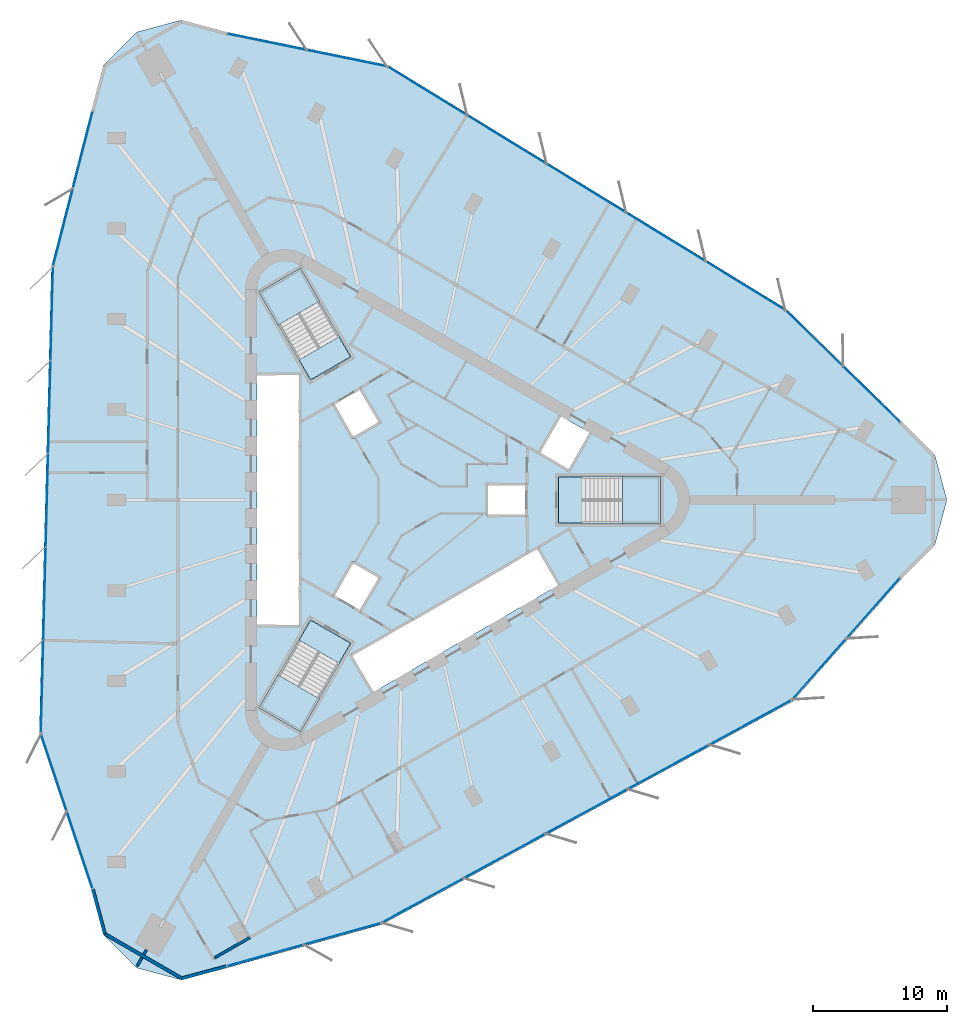
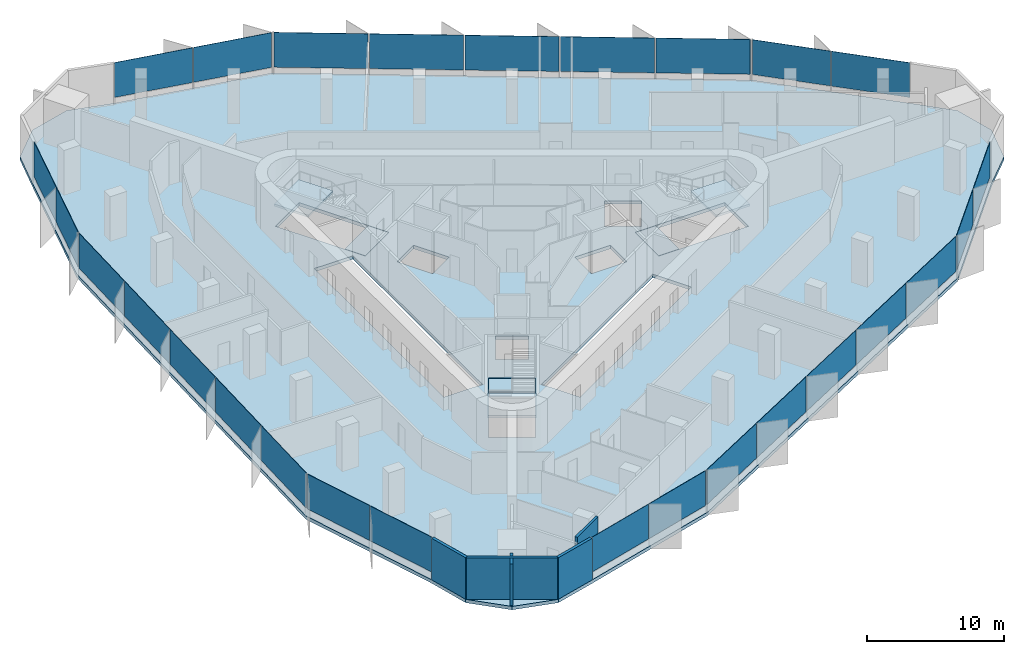
# One storey, part 7 of 14: 27 plates, 7 slabs, 6 walls, 12 elements without a shape of their own.
"""IFC4 building model written with IfcOpenShell, lengths in metres."""

from ifc_helpers import new_model, si_unit, direction, frame, frame_2d, origin, origin_2d, place, context, subcontext, project, spatial, polyline, rectangle, outline, extrude, material, layer, layer_set, type_object, element, aggregate, save


model = new_model("IFC4")

# Units and contexts
model_context = context("Model", 3, precision=1e-05, world=origin(), true_north=direction((0.0, 1.0)))
body_context = subcontext(model_context, "Body", "Model", "MODEL_VIEW")
ifc_project = project(units=[si_unit("LENGTHUNIT", "METRE"), si_unit("AREAUNIT", "SQUARE_METRE"), si_unit("VOLUMEUNIT", "CUBIC_METRE"), si_unit("PLANEANGLEUNIT", "RADIAN"), si_unit("MASSUNIT", "GRAM", prefix="KILO")], contexts=[model_context])

# Site, building, storey
site_placement = place(None, origin())
site = spatial("IfcSite", under=ifc_project, at=site_placement, CompositionType="ELEMENT")
building_placement = place(site_placement, origin())
building = spatial("IfcBuilding", under=site, at=building_placement, Name="Tanit Gate Tower", CompositionType="ELEMENT")
storey_placement = place(building_placement, frame((0.0, 0.0, 241.199951171875)))
storey = spatial("IfcBuildingStorey", under=building, at=storey_placement, Name="L54", CompositionType="ELEMENT", Elevation=241.199951171875)

# Slab
ifc_material_1 = material(Name="Concrete C35/45", Category="concrete")
ifc_layer_1 = layer(ifc_material_1, 0.300048828125)
ifc_layer_set_1 = layer_set([ifc_layer_1], Name="FLOOR SLAB 300 C35/45")
slab_type_1 = type_object("IfcSlabType", Name="FLOOR SLAB 300 C35/45", PredefinedType="FLOOR", material=ifc_layer_set_1)
slab_1_placement = place(storey_placement, frame((0.0, 0.0, -0.300048828125)))
element("IfcSlab", 1, at=slab_1_placement, inside=storey, type_object=slab_type_1, Name="FLOOR SLAB L54", PredefinedType="FLOOR", context=body_context, shape_type="SweptSolid", body=[
    extrude(outline(polyline([(37.03662109375, 5.860107421875), (39.51318359375, 3.38330078125), (40.419921875, 0.0), (39.51318359375, -3.38330078125), (37.03662109375, -5.860107421875), (28.885986328125, -15.05859375), (-1.855224609375, -31.760009765625), (-13.443115234375, -35.004638671875), (-16.826416015625, -35.9111328125), (-20.2099609375, -35.004638671875), (-22.686767578125, -32.52783203125), (-23.59326171875, -29.144287109375), (-27.484375, -17.48681640625), (-26.577392578125, 17.48681640625), (-23.59326171875, 29.144287109375), (-22.686767578125, 32.52783203125), (-20.2099609375, 35.004638671875), (-16.826416015625, 35.9111328125), (-13.443115234375, 35.004638671875), (-1.40185546875, 32.54541015625), (28.4326171875, 14.273193359375), (37.03662109375, 5.860107421875)]), holes=[polyline([(11.3701171875, 1.72998046875), (18.929931640625, 1.72998046875), (18.929931640625, -1.72998046875), (11.3701171875, -1.72998046875), (11.3701171875, 1.72998046875)]), polyline([(9.82080078125, 3.510009765625), (11.44580078125, 6.324462890625), (13.783935546875, 4.974609375), (12.158935546875, 2.159912109375), (9.82080078125, 3.510009765625)]), polyline([(-4.208984375, -11.60986328125), (9.82080078125, -3.510009765625), (11.44580078125, -6.324462890625), (-2.583984375, -14.424560546875), (-4.208984375, -11.60986328125)]), polyline([(6.0, 1.199951171875), (9.0, 1.199951171875), (9.0, -1.199951171875), (6.0, -1.199951171875), (6.0, 1.199951171875)]), polyline([(-5.539306640625, 7.194091796875), (-3.460693359375, 8.394287109375), (-1.960693359375, 5.796142578125), (-4.039306640625, 4.59619140625), (-5.539306640625, 7.194091796875)]), polyline([(-1.960693359375, -5.796142578125), (-3.460693359375, -8.394287109375), (-5.539306640625, -7.194091796875), (-4.039306640625, -4.59619140625), (-1.960693359375, -5.796142578125)]), polyline([(-10.963134765625, 15.52880859375), (-7.966796875, 17.2587890625), (-4.186767578125, 10.711669921875), (-7.18310546875, 8.981689453125), (-10.963134765625, 15.52880859375)]), polyline([(-4.186767578125, -10.711669921875), (-7.966796875, -17.2587890625), (-10.963134765625, -15.52880859375), (-7.18310546875, -8.981689453125), (-4.186767578125, -10.711669921875)]), polyline([(-11.199951171875, -9.449951171875), (-11.199951171875, 9.449951171875), (-7.949951171875, 9.449951171875), (-7.949951171875, -9.449951171875), (-11.199951171875, -9.449951171875)])]), origin(), (0.0, 0.0, 1.0), 0.300048828125),
])

# Curtain wall, plates
ifc_material_2 = material(Name="Aluminium bronze anodised and glass", Category="aluminium")
curtain_wall_type = type_object("IfcCurtainWallType", Name="Curtain wall typical mid", PredefinedType="NOTDEFINED", material=ifc_material_2)
curtain_wall_1_placement = place(storey_placement, origin())
curtain_wall_1 = element("IfcCurtainWall", 2, at=curtain_wall_1_placement, inside=storey, type_object=curtain_wall_type, Name="Curtain wall L54 NE1", PredefinedType="NOTDEFINED")
ifc_material_3 = material(Name="Glass tinted", Category="glass")
ifc_layer_2 = layer(ifc_material_3, 0.030029296875)
ifc_layer_set_2 = layer_set([ifc_layer_2], Name="Glass panel 30 typical mid")
plate_type = type_object("IfcPlateType", Name="Glass panel 30 typical mid", PredefinedType="CURTAIN_PANEL", material=ifc_layer_set_2)
plate_1_placement = place(storey_placement, frame((34.789306640625, 7.8896484375, 0.60009765625), z_axis=(0.0, 0.0, 1.0), x_axis=(-0.714989662126, 0.699135024907, 0.0)))
plate_1 = element("IfcPlate", 3, at=plate_1_placement, type_object=plate_type, Name="Glass panel L54 NE1.1", PredefinedType="CURTAIN_PANEL", context=body_context, shape_type="SweptSolid", body=[
    extrude(rectangle(XDim=5.8896484375, YDim=0.030029296875, at=origin_2d()), origin(), (0.0, 0.0, 1.0), 3.10009765625),
])
plate_2_placement = place(storey_placement, frame((30.52099609375, 12.063232421875, 0.60009765625), z_axis=(0.0, 0.0, 1.0), x_axis=(-0.714989662126, 0.699135024907, 0.0)))
plate_2 = element("IfcPlate", 4, at=plate_2_placement, type_object=plate_type, Name="Glass panel L54 NE1.2", PredefinedType="CURTAIN_PANEL", context=body_context, shape_type="SweptSolid", body=[
    extrude(rectangle(XDim=5.8896484375, YDim=0.030029296875, at=origin_2d()), origin(), (0.0, 0.0, 1.0), 3.10009765625),
])
aggregate(curtain_wall_1, [plate_1, plate_2])

curtain_wall_2_placement = place(storey_placement, origin())
curtain_wall_2 = element("IfcCurtainWall", 5, at=curtain_wall_2_placement, inside=storey, type_object=curtain_wall_type, Name="Curtain wall L54 NE2", PredefinedType="NOTDEFINED")
plate_3_placement = place(storey_placement, frame((25.3505859375, 16.020263671875, 0.60009765625), z_axis=(0.0, 0.0, 1.0), x_axis=(-0.852772356127, 0.522282786071, 0.0)))
plate_3 = element("IfcPlate", 6, at=plate_3_placement, type_object=plate_type, Name="Glass panel L54 NE2.1", PredefinedType="CURTAIN_PANEL", context=body_context, shape_type="SweptSolid", body=[
    extrude(rectangle(XDim=6.89404296875, YDim=0.030029296875, at=origin_2d()), origin(), (0.0, 0.0, 1.0), 3.10009765625),
])
plate_4_placement = place(storey_placement, frame((19.4033203125, 19.66259765625, 0.60009765625), z_axis=(0.0, 0.0, 1.0), x_axis=(-0.852772356127, 0.522282786071, 0.0)))
plate_4 = element("IfcPlate", 7, at=plate_4_placement, type_object=plate_type, Name="Glass panel L54 NE2.2", PredefinedType="CURTAIN_PANEL", context=body_context, shape_type="SweptSolid", body=[
    extrude(rectangle(XDim=6.89404296875, YDim=0.030029296875, at=origin_2d()), origin(), (0.0, 0.0, 1.0), 3.10009765625),
])
plate_5_placement = place(storey_placement, frame((13.455810546875, 23.304931640625, 0.60009765625), z_axis=(0.0, 0.0, 1.0), x_axis=(-0.852772356127, 0.522282786071, 0.0)))
plate_5 = element("IfcPlate", 8, at=plate_5_placement, type_object=plate_type, Name="Glass panel L54 NE2.3", PredefinedType="CURTAIN_PANEL", context=body_context, shape_type="SweptSolid", body=[
    extrude(rectangle(XDim=6.89404296875, YDim=0.030029296875, at=origin_2d()), origin(), (0.0, 0.0, 1.0), 3.10009765625),
])
plate_6_placement = place(storey_placement, frame((7.508544921875, 26.947509765625, 0.60009765625), z_axis=(0.0, 0.0, 1.0), x_axis=(-0.852772356127, 0.522282786071, 0.0)))
plate_6 = element("IfcPlate", 9, at=plate_6_placement, type_object=plate_type, Name="Glass panel L54 NE2.4", PredefinedType="CURTAIN_PANEL", context=body_context, shape_type="SweptSolid", body=[
    extrude(rectangle(XDim=6.89404296875, YDim=0.030029296875, at=origin_2d()), origin(), (0.0, 0.0, 1.0), 3.10009765625),
])
plate_7_placement = place(storey_placement, frame((1.561279296875, 30.58984375, 0.60009765625), z_axis=(0.0, 0.0, 1.0), x_axis=(-0.852772356127, 0.522282786071, 0.0)))
plate_7 = element("IfcPlate", 10, at=plate_7_placement, type_object=plate_type, Name="Glass panel L54 NE2.5", PredefinedType="CURTAIN_PANEL", context=body_context, shape_type="SweptSolid", body=[
    extrude(rectangle(XDim=6.89404296875, YDim=0.030029296875, at=origin_2d()), origin(), (0.0, 0.0, 1.0), 3.10009765625),
])
aggregate(curtain_wall_2, [plate_3, plate_4, plate_5, plate_6, plate_7])

curtain_wall_3_placement = place(storey_placement, origin())
curtain_wall_3 = element("IfcCurtainWall", 11, at=curtain_wall_3_placement, inside=storey, type_object=curtain_wall_type, Name="Curtain wall L54 NE3", PredefinedType="NOTDEFINED")
plate_8_placement = place(storey_placement, frame((-4.47216796875, 33.050048828125, 0.60009765625), z_axis=(0.0, 0.0, 1.0), x_axis=(-0.979775826836, 0.200098298711, 0.0)))
plate_8 = element("IfcPlate", 12, at=plate_8_placement, type_object=plate_type, Name="Glass panel L54 NE3.1", PredefinedType="CURTAIN_PANEL", context=body_context, shape_type="SweptSolid", body=[
    extrude(rectangle(XDim=6.01611328125, YDim=0.030029296875, at=origin_2d()), origin(), (0.0, 0.0, 1.0), 3.10009765625),
])
plate_9_placement = place(storey_placement, frame((-10.445068359375, 34.269775390625, 0.60009765625), z_axis=(0.0, 0.0, 1.0), x_axis=(-0.979775826836, 0.200098298711, 0.0)))
plate_9 = element("IfcPlate", 13, at=plate_9_placement, type_object=plate_type, Name="Glass panel L54 NE3.2", PredefinedType="CURTAIN_PANEL", context=body_context, shape_type="SweptSolid", body=[
    extrude(rectangle(XDim=6.016357421875, YDim=0.030029296875, at=origin_2d()), origin(), (0.0, 0.0, 1.0), 3.10009765625),
])
aggregate(curtain_wall_3, [plate_8, plate_9])

curtain_wall_4_placement = place(storey_placement, origin())
curtain_wall_4 = element("IfcCurtainWall", 14, at=curtain_wall_4_placement, inside=storey, type_object=curtain_wall_type, Name="Curtain wall L54 W1", PredefinedType="NOTDEFINED")
plate_10_placement = place(storey_placement, frame((-24.227294921875, 26.18359375, 0.60009765625), z_axis=(0.0, 0.0, 1.0), x_axis=(-0.247973861182, -0.968766723298, 0.0)))
plate_10 = element("IfcPlate", 15, at=plate_10_placement, type_object=plate_type, Name="Glass panel L54 W1.1", PredefinedType="CURTAIN_PANEL", context=body_context, shape_type="SweptSolid", body=[
    extrude(rectangle(XDim=5.8896484375, YDim=0.030029296875, at=origin_2d()), origin(), (0.0, 0.0, 1.0), 3.10009765625),
])
plate_11_placement = place(storey_placement, frame((-25.70751953125, 20.400390625, 0.60009765625), z_axis=(0.0, 0.0, 1.0), x_axis=(-0.247973861182, -0.968766723298, 0.0)))
plate_11 = element("IfcPlate", 16, at=plate_11_placement, type_object=plate_type, Name="Glass panel L54 W1.2", PredefinedType="CURTAIN_PANEL", context=body_context, shape_type="SweptSolid", body=[
    extrude(rectangle(XDim=5.8896484375, YDim=0.030029296875, at=origin_2d()), origin(), (0.0, 0.0, 1.0), 3.10009765625),
])
aggregate(curtain_wall_4, [plate_10, plate_11])

curtain_wall_5_placement = place(storey_placement, origin())
curtain_wall_5 = element("IfcCurtainWall", 17, at=curtain_wall_5_placement, inside=storey, type_object=curtain_wall_type, Name="Curtain wall L54 W2", PredefinedType="NOTDEFINED")
plate_12_placement = place(storey_placement, frame((-26.549072265625, 13.944091796875, 0.60009765625), z_axis=(0.0, 0.0, 1.0), x_axis=(-0.025923982634, -0.999663917086, 0.0)))
plate_12 = element("IfcPlate", 18, at=plate_12_placement, type_object=plate_type, Name="Glass panel L54 W2.1", PredefinedType="CURTAIN_PANEL", context=body_context, shape_type="SweptSolid", body=[
    extrude(rectangle(XDim=6.89404296875, YDim=0.030029296875, at=origin_2d()), origin(), (0.0, 0.0, 1.0), 3.10009765625),
])
plate_13_placement = place(storey_placement, frame((-26.72998046875, 6.972412109375, 0.60009765625), z_axis=(0.0, 0.0, 1.0), x_axis=(-0.025923982634, -0.999663917086, 0.0)))
plate_13 = element("IfcPlate", 19, at=plate_13_placement, type_object=plate_type, Name="Glass panel L54 W2.2", PredefinedType="CURTAIN_PANEL", context=body_context, shape_type="SweptSolid", body=[
    extrude(rectangle(XDim=6.89404296875, YDim=0.030029296875, at=origin_2d()), origin(), (0.0, 0.0, 1.0), 3.10009765625),
])
plate_14_placement = place(storey_placement, frame((-26.91064453125, 0.000732421875, 0.60009765625), z_axis=(0.0, 0.0, 1.0), x_axis=(-0.025923982634, -0.999663917086, 0.0)))
plate_14 = element("IfcPlate", 20, at=plate_14_placement, type_object=plate_type, Name="Glass panel L54 W2.3", PredefinedType="CURTAIN_PANEL", context=body_context, shape_type="SweptSolid", body=[
    extrude(rectangle(XDim=6.89404296875, YDim=0.030029296875, at=origin_2d()), origin(), (0.0, 0.0, 1.0), 3.10009765625),
])
plate_15_placement = place(storey_placement, frame((-27.091552734375, -6.97119140625, 0.60009765625), z_axis=(0.0, 0.0, 1.0), x_axis=(-0.025923982634, -0.999663917086, 0.0)))
plate_15 = element("IfcPlate", 21, at=plate_15_placement, type_object=plate_type, Name="Glass panel L54 W2.4", PredefinedType="CURTAIN_PANEL", context=body_context, shape_type="SweptSolid", body=[
    extrude(rectangle(XDim=6.89404296875, YDim=0.030029296875, at=origin_2d()), origin(), (0.0, 0.0, 1.0), 3.10009765625),
])
plate_16_placement = place(storey_placement, frame((-27.272216796875, -13.94287109375, 0.60009765625), z_axis=(0.0, 0.0, 1.0), x_axis=(-0.025923982634, -0.999663917086, 0.0)))
plate_16 = element("IfcPlate", 22, at=plate_16_placement, type_object=plate_type, Name="Glass panel L54 W2.5", PredefinedType="CURTAIN_PANEL", context=body_context, shape_type="SweptSolid", body=[
    extrude(rectangle(XDim=6.89404296875, YDim=0.030029296875, at=origin_2d()), origin(), (0.0, 0.0, 1.0), 3.10009765625),
])
aggregate(curtain_wall_5, [plate_12, plate_13, plate_14, plate_15, plate_16])

curtain_wall_6_placement = place(storey_placement, origin())
curtain_wall_6 = element("IfcCurtainWall", 23, at=curtain_wall_6_placement, inside=storey, type_object=curtain_wall_type, Name="Curtain wall L54 W3", PredefinedType="NOTDEFINED")
plate_17_placement = place(storey_placement, frame((-26.385986328125, -20.39794921875, 0.60009765625), z_axis=(0.0, 0.0, 1.0), x_axis=(0.31659770348, -0.94855990541, 0.0)))
plate_17 = element("IfcPlate", 24, at=plate_17_placement, type_object=plate_type, Name="Glass panel L54 W3.1", PredefinedType="CURTAIN_PANEL", context=body_context, shape_type="SweptSolid", body=[
    extrude(rectangle(XDim=6.01611328125, YDim=0.030029296875, at=origin_2d()), origin(), (0.0, 0.0, 1.0), 3.10009765625),
])
plate_18_placement = place(storey_placement, frame((-24.4560546875, -26.1806640625, 0.60009765625), z_axis=(0.0, 0.0, 1.0), x_axis=(0.31659770348, -0.94855990541, 0.0)))
plate_18 = element("IfcPlate", 25, at=plate_18_placement, type_object=plate_type, Name="Glass panel L54 W3.2", PredefinedType="CURTAIN_PANEL", context=body_context, shape_type="SweptSolid", body=[
    extrude(rectangle(XDim=6.016357421875, YDim=0.030029296875, at=origin_2d()), origin(), (0.0, 0.0, 1.0), 3.10009765625),
])
aggregate(curtain_wall_6, [plate_17, plate_18])

curtain_wall_7_placement = place(storey_placement, origin())
curtain_wall_7 = element("IfcCurtainWall", 26, at=curtain_wall_7_placement, inside=storey, type_object=curtain_wall_type, Name="Curtain wall L54 SE1", PredefinedType="NOTDEFINED")
plate_19_placement = place(storey_placement, frame((-10.56201171875, -34.0732421875, 0.60009765625), z_axis=(0.0, 0.0, 1.0), x_axis=(0.962963523309, 0.269631698391, 0.0)))
plate_19 = element("IfcPlate", 27, at=plate_19_placement, type_object=plate_type, Name="Glass panel L54 SE1.1", PredefinedType="CURTAIN_PANEL", context=body_context, shape_type="SweptSolid", body=[
    extrude(rectangle(XDim=5.8896484375, YDim=0.030029296875, at=origin_2d()), origin(), (0.0, 0.0, 1.0), 3.10009765625),
])
plate_20_placement = place(storey_placement, frame((-4.8134765625, -32.463623046875, 0.60009765625), z_axis=(0.0, 0.0, 1.0), x_axis=(0.962963523309, 0.269631698391, 0.0)))
plate_20 = element("IfcPlate", 28, at=plate_20_placement, type_object=plate_type, Name="Glass panel L54 SE1.2", PredefinedType="CURTAIN_PANEL", context=body_context, shape_type="SweptSolid", body=[
    extrude(rectangle(XDim=5.8896484375, YDim=0.030029296875, at=origin_2d()), origin(), (0.0, 0.0, 1.0), 3.10009765625),
])
aggregate(curtain_wall_7, [plate_19, plate_20])

curtain_wall_8_placement = place(storey_placement, origin())
curtain_wall_8 = element("IfcCurtainWall", 29, at=curtain_wall_8_placement, inside=storey, type_object=curtain_wall_type, Name="Curtain wall L54 SE2", PredefinedType="NOTDEFINED")
plate_21_placement = place(storey_placement, frame((1.198486328125, -29.96435546875, 0.60009765625), z_axis=(0.0, 0.0, 1.0), x_axis=(0.87869633876, 0.477381131015, 0.0)))
plate_21 = element("IfcPlate", 30, at=plate_21_placement, type_object=plate_type, Name="Glass panel L54 SE2.1", PredefinedType="CURTAIN_PANEL", context=body_context, shape_type="SweptSolid", body=[
    extrude(rectangle(XDim=6.89404296875, YDim=0.030029296875, at=origin_2d()), origin(), (0.0, 0.0, 1.0), 3.10009765625),
])
plate_22_placement = place(storey_placement, frame((7.32666015625, -26.635009765625, 0.60009765625), z_axis=(0.0, 0.0, 1.0), x_axis=(0.87869633876, 0.477381131015, 0.0)))
plate_22 = element("IfcPlate", 31, at=plate_22_placement, type_object=plate_type, Name="Glass panel L54 SE2.2", PredefinedType="CURTAIN_PANEL", context=body_context, shape_type="SweptSolid", body=[
    extrude(rectangle(XDim=6.89404296875, YDim=0.030029296875, at=origin_2d()), origin(), (0.0, 0.0, 1.0), 3.10009765625),
])
plate_23_placement = place(storey_placement, frame((13.454833984375, -23.3056640625, 0.60009765625), z_axis=(0.0, 0.0, 1.0), x_axis=(0.87869633876, 0.477381131015, 0.0)))
plate_23 = element("IfcPlate", 32, at=plate_23_placement, type_object=plate_type, Name="Glass panel L54 SE2.3", PredefinedType="CURTAIN_PANEL", context=body_context, shape_type="SweptSolid", body=[
    extrude(rectangle(XDim=6.89404296875, YDim=0.030029296875, at=origin_2d()), origin(), (0.0, 0.0, 1.0), 3.10009765625),
])
plate_24_placement = place(storey_placement, frame((19.5830078125, -19.976318359375, 0.60009765625), z_axis=(0.0, 0.0, 1.0), x_axis=(0.87869633876, 0.477381131015, 0.0)))
plate_24 = element("IfcPlate", 33, at=plate_24_placement, type_object=plate_type, Name="Glass panel L54 SE2.4", PredefinedType="CURTAIN_PANEL", context=body_context, shape_type="SweptSolid", body=[
    extrude(rectangle(XDim=6.89404296875, YDim=0.030029296875, at=origin_2d()), origin(), (0.0, 0.0, 1.0), 3.10009765625),
])
plate_25_placement = place(storey_placement, frame((25.7109375, -16.647216796875, 0.60009765625), z_axis=(0.0, 0.0, 1.0), x_axis=(0.87869633876, 0.477381131015, 0.0)))
plate_25 = element("IfcPlate", 34, at=plate_25_placement, type_object=plate_type, Name="Glass panel L54 SE2.5", PredefinedType="CURTAIN_PANEL", context=body_context, shape_type="SweptSolid", body=[
    extrude(rectangle(XDim=6.89404296875, YDim=0.030029296875, at=origin_2d()), origin(), (0.0, 0.0, 1.0), 3.10009765625),
])
aggregate(curtain_wall_8, [plate_21, plate_22, plate_23, plate_24, plate_25])

curtain_wall_9_placement = place(storey_placement, origin())
curtain_wall_9 = element("IfcCurtainWall", 35, at=curtain_wall_9_placement, inside=storey, type_object=curtain_wall_type, Name="Curtain wall L54 SE3", PredefinedType="NOTDEFINED")
plate_26_placement = place(storey_placement, frame((30.858154296875, -12.652099609375, 0.60009765625), z_axis=(0.0, 0.0, 1.0), x_axis=(0.663178123356, 0.748461606698, 0.0)))
plate_26 = element("IfcPlate", 36, at=plate_26_placement, type_object=plate_type, Name="Glass panel L54 SE3.1", PredefinedType="CURTAIN_PANEL", context=body_context, shape_type="SweptSolid", body=[
    extrude(rectangle(XDim=6.01611328125, YDim=0.030029296875, at=origin_2d()), origin(), (0.0, 0.0, 1.0), 3.10009765625),
])
plate_27_placement = place(storey_placement, frame((34.901123046875, -8.089111328125, 0.60009765625), z_axis=(0.0, 0.0, 1.0), x_axis=(0.663178123356, 0.748461606698, 0.0)))
plate_27 = element("IfcPlate", 37, at=plate_27_placement, type_object=plate_type, Name="Glass panel L54 SE3.2", PredefinedType="CURTAIN_PANEL", context=body_context, shape_type="SweptSolid", body=[
    extrude(rectangle(XDim=6.016357421875, YDim=0.030029296875, at=origin_2d()), origin(), (0.0, 0.0, 1.0), 3.10009765625),
])
aggregate(curtain_wall_9, [plate_26, plate_27])

# Stair, slab
ifc_material_4 = material(Name="Concrete C40/50", Category="concrete")
stair_type = type_object("IfcStairType", Name="INT-STAIR-EXIT", PredefinedType="HALF_TURN_STAIR", material=ifc_material_4)
stair_1_placement = place(storey_placement, origin())
stair_1 = element("IfcStair", 38, at=stair_1_placement, inside=storey, type_object=stair_type, Name="L54 STAIR S1", PredefinedType="HALF_TURN_STAIR")
ifc_material_5 = material(Name="Concrete C40/50", Category="concrete")
ifc_layer_3 = layer(ifc_material_5, 0.199951171875)
ifc_layer_set_3 = layer_set([ifc_layer_3], Name="INT-STAIR-LANDING")
slab_type_2 = type_object("IfcSlabType", Name="INT-STAIR-LANDING", PredefinedType="LANDING", material=ifc_layer_set_3)
slab_2_placement = place(storey_placement, frame((0.0, 0.0, 1.800048828125)))
slab_2 = element("IfcSlab", 39, at=slab_2_placement, type_object=slab_type_2, Name="S1 landing 1", PredefinedType="LANDING", context=body_context, shape_type="SweptSolid", body=[
    extrude(outline(polyline([(16.135986328125, -1.800048828125), (19.0, -1.800048828125), (19.0, 1.800048828125), (16.135986328125, 1.800048828125), (16.135986328125, -1.800048828125)])), origin(), (0.0, 0.0, 1.0), 0.199951171875),
])
aggregate(stair_1, [slab_2])

# Slab
slab_3_placement = place(storey_placement, frame((0.0, 0.0, -0.199951171875)))
element("IfcSlab", 40, at=slab_3_placement, inside=storey, type_object=slab_type_2, Name="S1 floor landing", PredefinedType="LANDING", context=body_context, shape_type="SweptSolid", body=[
    extrude(outline(polyline([(11.3798828125, -1.719970703125), (13.10498046875, -1.719970703125), (13.10498046875, 1.719970703125), (11.3798828125, 1.719970703125), (11.3798828125, -1.719970703125)])), origin(), (0.0, 0.0, 1.0), 0.199951171875),
])

# Stair, slab
stair_2_placement = place(storey_placement, origin())
stair_2 = element("IfcStair", 41, at=stair_2_placement, inside=storey, type_object=stair_type, Name="L54 STAIR S2", PredefinedType="HALF_TURN_STAIR")
slab_4_placement = place(storey_placement, frame((0.0, 0.0, 1.800048828125)))
slab_4 = element("IfcSlab", 42, at=slab_4_placement, type_object=slab_type_2, Name="S2 landing 1", PredefinedType="LANDING", context=body_context, shape_type="SweptSolid", body=[
    extrude(outline(polyline([(-6.5078125, 14.871826171875), (-7.941162109375, 17.3544921875), (-11.058837890625, 15.554443359375), (-9.62548828125, 13.07177734375), (-6.5078125, 14.871826171875)])), origin(), (0.0, 0.0, 1.0), 0.199951171875),
])
aggregate(stair_2, [slab_4])

# Slab
slab_5_placement = place(storey_placement, frame((0.0, 0.0, -0.199951171875)))
element("IfcSlab", 43, at=slab_5_placement, inside=storey, type_object=slab_type_2, Name="S2 floor landing", PredefinedType="LANDING", context=body_context, shape_type="SweptSolid", body=[
    extrude(outline(polyline([(-4.200439453125, 10.71533203125), (-5.0625, 12.20849609375), (-8.04150390625, 10.48828125), (-7.179443359375, 8.995361328125), (-4.200439453125, 10.71533203125)])), origin(), (0.0, 0.0, 1.0), 0.199951171875),
])

# Stair, slab
stair_3_placement = place(storey_placement, origin())
stair_3 = element("IfcStair", 44, at=stair_3_placement, inside=storey, type_object=stair_type, Name="L54 STAIR S3", PredefinedType="HALF_TURN_STAIR")
slab_6_placement = place(storey_placement, frame((0.0, 0.0, 1.800048828125)))
slab_6 = element("IfcSlab", 45, at=slab_6_placement, type_object=slab_type_2, Name="S3 landing 1", PredefinedType="LANDING", context=body_context, shape_type="SweptSolid", body=[
    extrude(outline(polyline([(-9.626953125, -13.07421875), (-11.058837890625, -15.554443359375), (-7.941162109375, -17.3544921875), (-6.509033203125, -14.874267578125), (-9.626953125, -13.07421875)])), origin(), (0.0, 0.0, 1.0), 0.199951171875),
])
aggregate(stair_3, [slab_6])

# Slab
slab_7_placement = place(storey_placement, frame((0.0, 0.0, -0.199951171875)))
element("IfcSlab", 46, at=slab_7_placement, inside=storey, type_object=slab_type_2, Name="S3 floor landing", PredefinedType="LANDING", context=body_context, shape_type="SweptSolid", body=[
    extrude(outline(polyline([(-7.179443359375, -8.995361328125), (-8.0419921875, -10.4892578125), (-5.06298828125, -12.209228515625), (-4.200439453125, -10.71533203125), (-7.179443359375, -8.995361328125)])), origin(), (0.0, 0.0, 1.0), 0.199951171875),
])

# Walls
ifc_material_6 = material(Name="Concrete C30/37 with bronze anodised aluminium cladding", Category="concrete")
ifc_layer_4 = layer(ifc_material_6, 0.239990234375)
ifc_layer_set_4 = layer_set([ifc_layer_4], Name="Facade wall bronze clad 240")
wall_type_1 = type_object("IfcWallType", Name="Facade wall bronze clad 240", PredefinedType="SOLIDWALL", material=ifc_layer_set_4)
wall_1_placement = place(storey_placement, frame((-23.478271484375, -29.10986328125, 0.0), z_axis=(0.0, 0.0, 1.0), x_axis=(0.258821559604, -0.965925152527, 0.0)))
element("IfcWall", 47, at=wall_1_placement, inside=storey, type_object=wall_type_1, Name="Bronze-clad facade wall L54 SW.arc1", PredefinedType="SOLIDWALL", context=body_context, shape_type="SweptSolid", body=[
    extrude(rectangle(XDim=3.47412109375, YDim=0.239990234375, at=frame_2d((1.737060546875, 0.0))), origin(), (0.0, 0.0, 1.0), 3.699951171875),
])
wall_2_placement = place(storey_placement, frame((-22.5791015625, -32.465576171875, 0.0), z_axis=(0.0, 0.0, 1.0), x_axis=(0.866017876419, -0.500013037552, 0.0)))
element("IfcWall", 48, at=wall_2_placement, inside=storey, type_object=wall_type_1, Name="Bronze-clad facade wall L54 SW.arc2", PredefinedType="SOLIDWALL", context=body_context, shape_type="SweptSolid", body=[
    extrude(rectangle(XDim=6.642333984375, YDim=0.239990234375, at=frame_2d((3.3212890625, 0.0))), origin(), (0.0, 0.0, 1.0), 3.699951171875),
])
wall_3_placement = place(storey_placement, frame((-16.82666015625, -35.786865234375, 0.0), z_axis=(0.0, 0.0, 1.0), x_axis=(0.96593768865, 0.258774770111, 0.0)))
element("IfcWall", 49, at=wall_3_placement, inside=storey, type_object=wall_type_1, Name="Bronze-clad facade wall L54 SW.arc3", PredefinedType="SOLIDWALL", context=body_context, shape_type="SweptSolid", body=[
    extrude(rectangle(XDim=3.469970703125, YDim=0.239990234375, at=frame_2d((1.73486328125, 0.0))), origin(), (0.0, 0.0, 1.0), 3.699951171875),
])
ifc_material_7 = material(Name="Fire-rated gypsum board partition")
ifc_layer_5 = layer(ifc_material_7, 0.199951171875)
ifc_layer_set_5 = layer_set([ifc_layer_5], Name="INT-WALL-COMPARTMENT")
wall_type_2 = type_object("IfcWallType", Name="INT-WALL-COMPARTMENT", PredefinedType="PARTITIONING", material=ifc_layer_set_5)
wall_4_placement = place(storey_placement, frame((-20.169677734375, -34.875, 0.0), z_axis=(0.0, 0.0, 1.0), x_axis=(0.499999897272, 0.866025463095, 0.0)))
element("IfcWall", 50, at=wall_4_placement, inside=storey, type_object=wall_type_2, Name="Wall Compartment W126", PredefinedType="PARTITIONING", context=body_context, shape_type="SweptSolid", body=[
    extrude(rectangle(XDim=0.76171875, YDim=0.199951171875, at=frame_2d((0.380859375, 0.0))), origin(), (0.0, 0.0, 1.0), 3.699951171875),
])
wall_5_placement = place(storey_placement, frame((-19.668701171875, -34.00732421875, 0.0), z_axis=(0.0, 0.0, 1.0), x_axis=(0.499739399214, 0.866175809448, 0.0)))
element("IfcWall", 51, at=wall_5_placement, inside=storey, type_object=wall_type_2, Name="Wall Compartment W126x1", PredefinedType="PARTITIONING", context=body_context, shape_type="SweptSolid", body=[
    extrude(rectangle(XDim=0.415771484375, YDim=0.199951171875, at=frame_2d((0.2080078125, 0.0))), origin(), (0.0, 0.0, 1.0), 3.699951171875),
])
wall_6_placement = place(storey_placement, frame((-11.729248046875, -32.7294921875, 0.0), z_axis=(0.0, 0.0, 1.0), x_axis=(-0.866009774538, -0.500027069672, 0.0)))
element("IfcWall", 52, at=wall_6_placement, inside=storey, type_object=wall_type_2, Name="Wall Compartment W151", PredefinedType="PARTITIONING", context=body_context, shape_type="SweptSolid", body=[
    extrude(rectangle(XDim=3.052490234375, YDim=0.199951171875, at=frame_2d((1.5263671875, 0.0))), origin(), (0.0, 0.0, 1.0), 3.699951171875),
])

save(model, "model.ifc")
